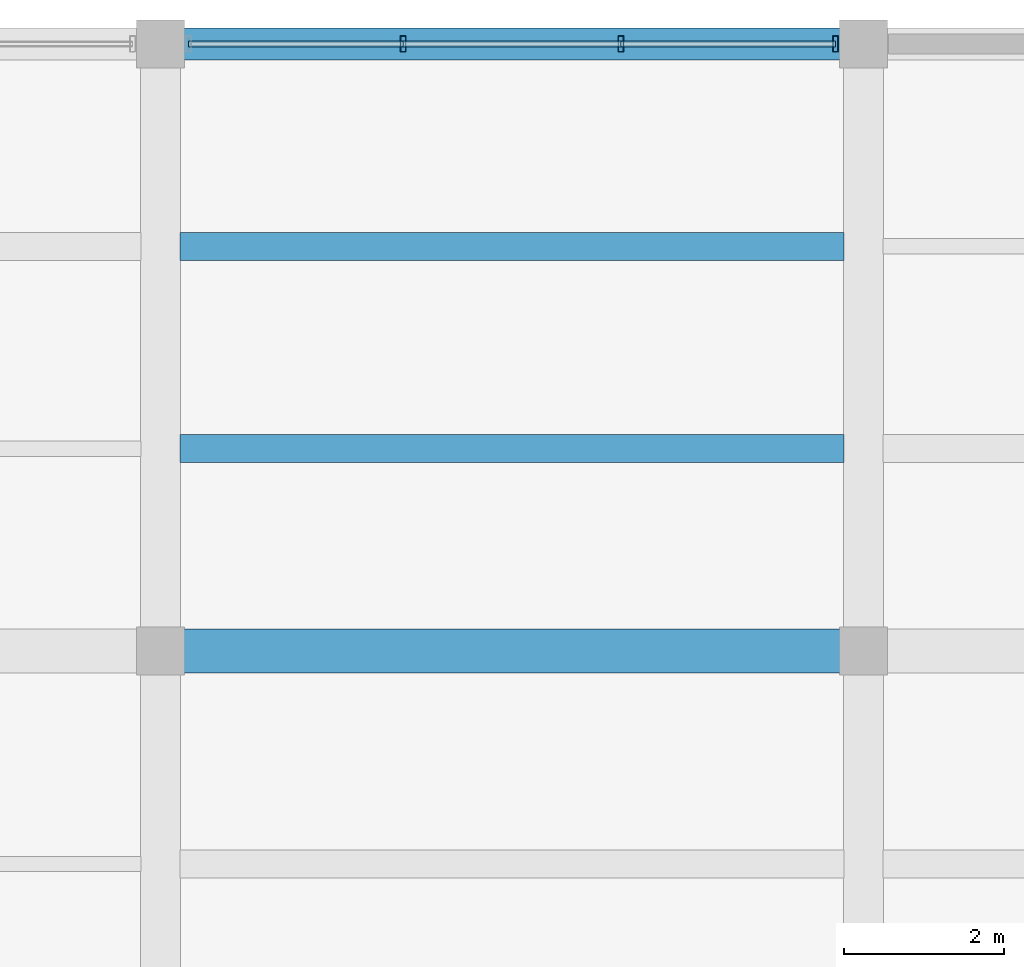
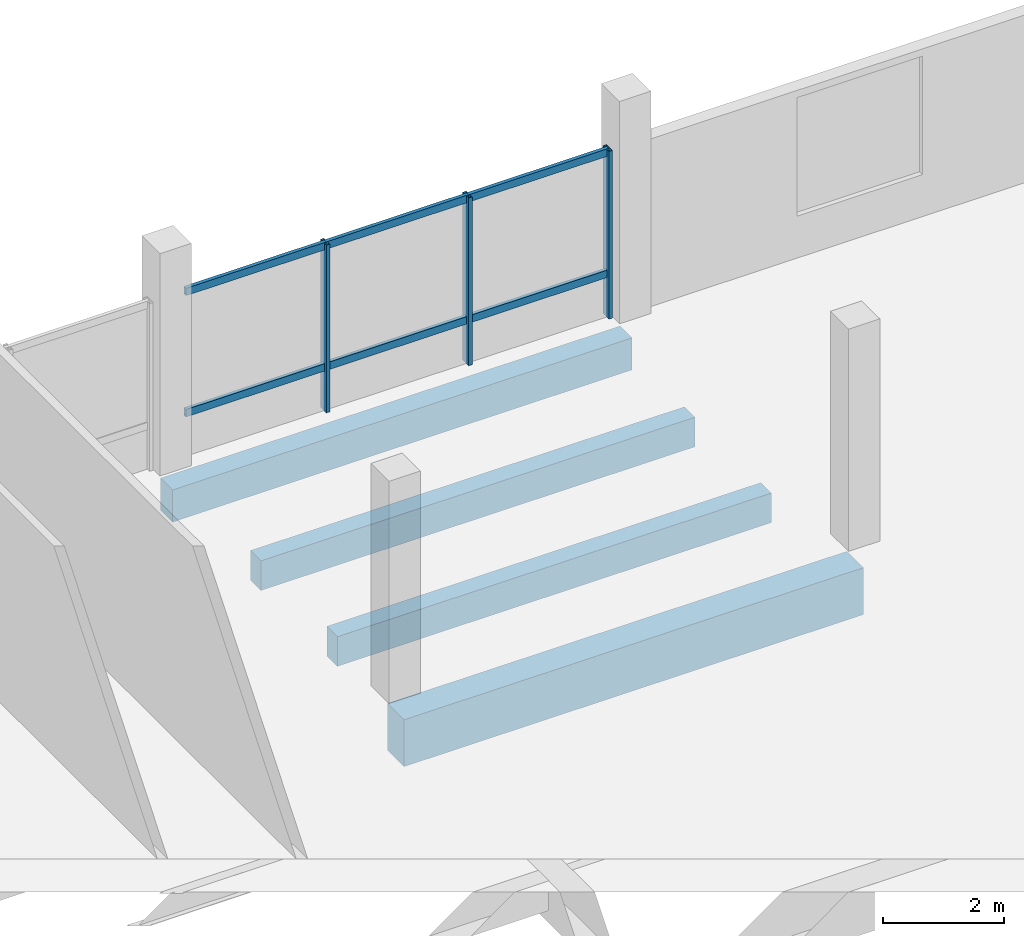
# One storey, part 57 of 77: 9 members, 4 beams, 1 element without a shape of its own.
"""IFC4 building model written with IfcOpenShell, lengths in metres."""

from ifc_helpers import new_model, si_unit, direction, frame, origin, origin_2d, place, context, subcontext, project, spatial, rectangle, hollow_rectangle, extrude, material, layer, layer_set, material_profile, profile_set, type_object, element, aggregate, save


model = new_model("IFC4")

# Units and contexts
model_context = context("Model", 3, precision=1e-05, world=origin(), true_north=direction((0.0, 1.0)))
body_context = subcontext(model_context, "Body", "Model", "MODEL_VIEW")
ifc_project = project(units=[si_unit("LENGTHUNIT", "METRE"), si_unit("AREAUNIT", "SQUARE_METRE"), si_unit("VOLUMEUNIT", "CUBIC_METRE"), si_unit("PLANEANGLEUNIT", "RADIAN"), si_unit("MASSUNIT", "GRAM", prefix="KILO")], contexts=[model_context])

# Site, building, storey
site_placement = place(None, origin())
site = spatial("IfcSite", under=ifc_project, at=site_placement, CompositionType="ELEMENT")
building_placement = place(site_placement, origin())
building = spatial("IfcBuilding", under=site, at=building_placement, Name="Meriwether Solvik Hall", CompositionType="ELEMENT")
storey_placement = place(building_placement, frame((0.0, 0.0, 9.89990234375)))
storey = spatial("IfcBuildingStorey", under=building, at=storey_placement, Name="L02", CompositionType="ELEMENT", Elevation=9.89990234375)

# Beams
ifc_material_1 = material(Name="Concrete C40/50", Category="concrete")
ifc_material_profile_1 = material_profile(ifc_material_1, rectangle(XDim=0.35009765625, YDim=0.60009765625, at=origin_2d()), Name="RCB-350X600")
ifc_profile_set_1 = profile_set([ifc_material_profile_1], Name="Concrete C40/50")
beam_type_1 = type_object("IfcBeamType", Name="BM-RC-350X600", PredefinedType="JOIST", material=ifc_profile_set_1)
for number, where, z_axis, x_axis, name in (
    (1, (140.844970703125, 111.7333984375, -0.75), (1.0, 0.0, 0.0), (0.0, 1.0, 0.0), "Secondary Floor Joist 16/M_J1 (L02)"),
    (2, (140.844970703125, 114.2666015625, -0.75), (1.0, 0.0, 0.0), (0.0, 1.0, 0.0), "Secondary Floor Joist 16/M_J2 (L02)"),
):
    element("IfcBeam", number, at=place(storey_placement, frame(where, z_axis=z_axis, x_axis=x_axis)), inside=storey, type_object=beam_type_1, Name=name, PredefinedType="JOIST", context=body_context, shape_type="SweptSolid", body=[
        extrude(rectangle(XDim=0.35009765625, YDim=0.60009765625, at=origin_2d()), origin(), (0.0, 0.0, 1.0), 8.31005859375),
    ])
ifc_material_2 = material(Name="Concrete C40/50", Category="concrete")
ifc_material_profile_2 = material_profile(ifc_material_2, rectangle(XDim=0.39990234375, YDim=0.64990234375, at=origin_2d()), Name="RCB-400X650")
ifc_profile_set_2 = profile_set([ifc_material_profile_2], Name="Concrete C40/50")
beam_type_2 = type_object("IfcBeamType", Name="BM-RC-400X650", PredefinedType="SPANDREL", material=ifc_profile_set_2)
beam_1_placement = place(storey_placement, frame((140.60009765625, 116.800048828125, -0.77490234375), z_axis=(1.0, 0.0, 0.0), x_axis=(0.0, 1.0, 0.0)))
element("IfcBeam", 3, at=beam_1_placement, inside=storey, type_object=beam_type_2, Name="Podium Girder N:16-17 (L02)", PredefinedType="SPANDREL", context=body_context, shape_type="SweptSolid", body=[
    extrude(rectangle(XDim=0.39990234375, YDim=0.64990234375, at=origin_2d()), origin(), (0.0, 0.0, 1.0), 8.7998046875),
])
ifc_material_3 = material(Name="Concrete C40/50", Category="concrete")
ifc_material_profile_3 = material_profile(ifc_material_3, rectangle(XDim=0.550048828125, YDim=0.949951171875, at=origin_2d()), Name="RCB-550X950")
ifc_profile_set_3 = profile_set([ifc_material_profile_3], Name="Concrete C40/50")
beam_type_3 = type_object("IfcBeamType", Name="BM-RC-550X950", PredefinedType="BEAM", material=ifc_profile_set_3)
beam_2_placement = place(storey_placement, frame((140.60009765625, 109.199951171875, -0.9248046875), z_axis=(1.0, 0.0, 0.0), x_axis=(0.0, 1.0, 0.0)))
element("IfcBeam", 4, at=beam_2_placement, inside=storey, type_object=beam_type_3, Name="Podium Girder M:16-17 (L02)", PredefinedType="BEAM", context=body_context, shape_type="SweptSolid", body=[
    extrude(rectangle(XDim=0.550048828125, YDim=0.949951171875, at=origin_2d()), origin(), (0.0, 0.0, 1.0), 8.7998046875),
])

# Curtain wall, members
ifc_material_4 = material(Name="Thermally Broken Anodised Aluminium 6063-T6 and Low-E Glass", Category="aluminium")
ifc_layer = layer(ifc_material_4, 0.179931640625)
ifc_layer_set = layer_set([ifc_layer], Name="Thermally Broken Anodised Aluminium 6063-T6 and Low-E Glass")
curtain_wall_type = type_object("IfcCurtainWallType", Name="CW-SF-POD-C", PredefinedType="USERDEFINED", material=ifc_layer_set)
curtain_wall_placement = place(storey_placement, origin())
curtain_wall = element("IfcCurtainWall", 5, at=curtain_wall_placement, inside=storey, type_object=curtain_wall_type, Name="Curtain Wall wing_XN_16_21 (L02)", ObjectType="STICK STOREFRONT GLAZING", PredefinedType="USERDEFINED")
ifc_material_5 = material(Name="Anodised Aluminium 6063-T6", Category="aluminium")
ifc_material_profile_4 = material_profile(ifc_material_5, hollow_rectangle(XDim=0.070068359375, YDim=0.199951171875, WallThickness=0.0048828125, at=origin_2d()), Name="CWM-70X200")
ifc_profile_set_4 = profile_set([ifc_material_profile_4], Name="Anodised Aluminium 6063-T6")
member_type_1 = type_object("IfcMemberType", Name="CW-MUL-70X200", PredefinedType="MULLION", material=ifc_profile_set_4)
member_1_placement = place(storey_placement, frame((143.637451171875, 116.800048828125, 0.0), z_axis=(0.0, 0.0, 1.0), x_axis=(1.0, 0.0, 0.0)))
member_1 = element("IfcMember", 6, at=member_1_placement, type_object=member_type_1, Name="Curtain Wall Mullion 2", PredefinedType="MULLION", context=body_context, shape_type="SweptSolid", body=[
    extrude(hollow_rectangle(XDim=0.070068359375, YDim=0.199951171875, WallThickness=0.0048828125, at=origin_2d()), origin(), (0.0, 0.0, 1.0), 3.39501953125),
])
member_2_placement = place(storey_placement, frame((146.362548828125, 116.800048828125, 0.0), z_axis=(0.0, 0.0, 1.0), x_axis=(1.0, 0.0, 0.0)))
member_2 = element("IfcMember", 7, at=member_2_placement, type_object=member_type_1, Name="Curtain Wall Mullion 3", PredefinedType="MULLION", context=body_context, shape_type="SweptSolid", body=[
    extrude(hollow_rectangle(XDim=0.070068359375, YDim=0.199951171875, WallThickness=0.0048828125, at=origin_2d()), origin(), (0.0, 0.0, 1.0), 3.39501953125),
])
member_3_placement = place(storey_placement, frame((149.050048828125, 116.800048828125, 0.0), z_axis=(0.0, 0.0, 1.0), x_axis=(1.0, 0.0, 0.0)))
member_3 = element("IfcMember", 8, at=member_3_placement, type_object=member_type_1, Name="Curtain Wall Mullion 4", PredefinedType="MULLION", context=body_context, shape_type="SweptSolid", body=[
    extrude(hollow_rectangle(XDim=0.070068359375, YDim=0.199951171875, WallThickness=0.0048828125, at=origin_2d()), origin(), (0.0, 0.0, 1.0), 3.39501953125),
])
ifc_material_6 = material(Name="Anodised Aluminium 6063-T6", Category="aluminium")
ifc_material_profile_5 = material_profile(ifc_material_6, hollow_rectangle(XDim=0.070068359375, YDim=0.14990234375, WallThickness=0.0048828125, at=origin_2d()), Name="CWT-70X150")
ifc_profile_set_5 = profile_set([ifc_material_profile_5], Name="Anodised Aluminium 6063-T6")
member_type_2 = type_object("IfcMemberType", Name="CW-TRN-70X150", PredefinedType="USERDEFINED", material=ifc_profile_set_5)
member_4_placement = place(storey_placement, frame((140.949951171875, 116.800048828125, 0.880126953125), z_axis=(1.0, 0.0, 0.0), x_axis=(0.0, 1.0, 0.0)))
member_4 = element("IfcMember", 9, at=member_4_placement, type_object=member_type_2, Name="Curtain Wall Transom 1-sill", ObjectType="TRANSOM", PredefinedType="USERDEFINED", context=body_context, shape_type="SweptSolid", body=[
    extrude(hollow_rectangle(XDim=0.070068359375, YDim=0.14990234375, WallThickness=0.0048828125, at=origin_2d()), origin(), (0.0, 0.0, 1.0), 2.6875),
])
member_5_placement = place(storey_placement, frame((140.949951171875, 116.800048828125, 3.335205078125), z_axis=(1.0, 0.0, 0.0), x_axis=(0.0, 1.0, 0.0)))
member_5 = element("IfcMember", 10, at=member_5_placement, type_object=member_type_2, Name="Curtain Wall Transom 1-head", ObjectType="TRANSOM", PredefinedType="USERDEFINED", context=body_context, shape_type="SweptSolid", body=[
    extrude(hollow_rectangle(XDim=0.070068359375, YDim=0.14990234375, WallThickness=0.0048828125, at=origin_2d()), origin(), (0.0, 0.0, 1.0), 2.6875),
])
member_6_placement = place(storey_placement, frame((143.637451171875, 116.800048828125, 0.880126953125), z_axis=(1.0, 0.0, 0.0), x_axis=(0.0, 1.0, 0.0)))
member_6 = element("IfcMember", 11, at=member_6_placement, type_object=member_type_2, Name="Curtain Wall Transom 2-sill", ObjectType="TRANSOM", PredefinedType="USERDEFINED", context=body_context, shape_type="SweptSolid", body=[
    extrude(hollow_rectangle(XDim=0.070068359375, YDim=0.14990234375, WallThickness=0.0048828125, at=origin_2d()), origin(), (0.0, 0.0, 1.0), 2.72509765625),
])
member_7_placement = place(storey_placement, frame((143.637451171875, 116.800048828125, 3.335205078125), z_axis=(1.0, 0.0, 0.0), x_axis=(0.0, 1.0, 0.0)))
member_7 = element("IfcMember", 12, at=member_7_placement, type_object=member_type_2, Name="Curtain Wall Transom 2-head", ObjectType="TRANSOM", PredefinedType="USERDEFINED", context=body_context, shape_type="SweptSolid", body=[
    extrude(hollow_rectangle(XDim=0.070068359375, YDim=0.14990234375, WallThickness=0.0048828125, at=origin_2d()), origin(), (0.0, 0.0, 1.0), 2.72509765625),
])
member_8_placement = place(storey_placement, frame((146.362548828125, 116.800048828125, 0.880126953125), z_axis=(1.0, 0.0, 0.0), x_axis=(0.0, 1.0, 0.0)))
member_8 = element("IfcMember", 13, at=member_8_placement, type_object=member_type_2, Name="Curtain Wall Transom 3-sill", ObjectType="TRANSOM", PredefinedType="USERDEFINED", context=body_context, shape_type="SweptSolid", body=[
    extrude(hollow_rectangle(XDim=0.070068359375, YDim=0.14990234375, WallThickness=0.0048828125, at=origin_2d()), origin(), (0.0, 0.0, 1.0), 2.6875),
])
member_9_placement = place(storey_placement, frame((146.362548828125, 116.800048828125, 3.335205078125), z_axis=(1.0, 0.0, 0.0), x_axis=(0.0, 1.0, 0.0)))
member_9 = element("IfcMember", 14, at=member_9_placement, type_object=member_type_2, Name="Curtain Wall Transom 3-head", ObjectType="TRANSOM", PredefinedType="USERDEFINED", context=body_context, shape_type="SweptSolid", body=[
    extrude(hollow_rectangle(XDim=0.070068359375, YDim=0.14990234375, WallThickness=0.0048828125, at=origin_2d()), origin(), (0.0, 0.0, 1.0), 2.6875),
])
aggregate(curtain_wall, [member_1, member_2, member_3, member_4, member_5, member_6, member_7, member_8, member_9])

save(model, "model.ifc")
